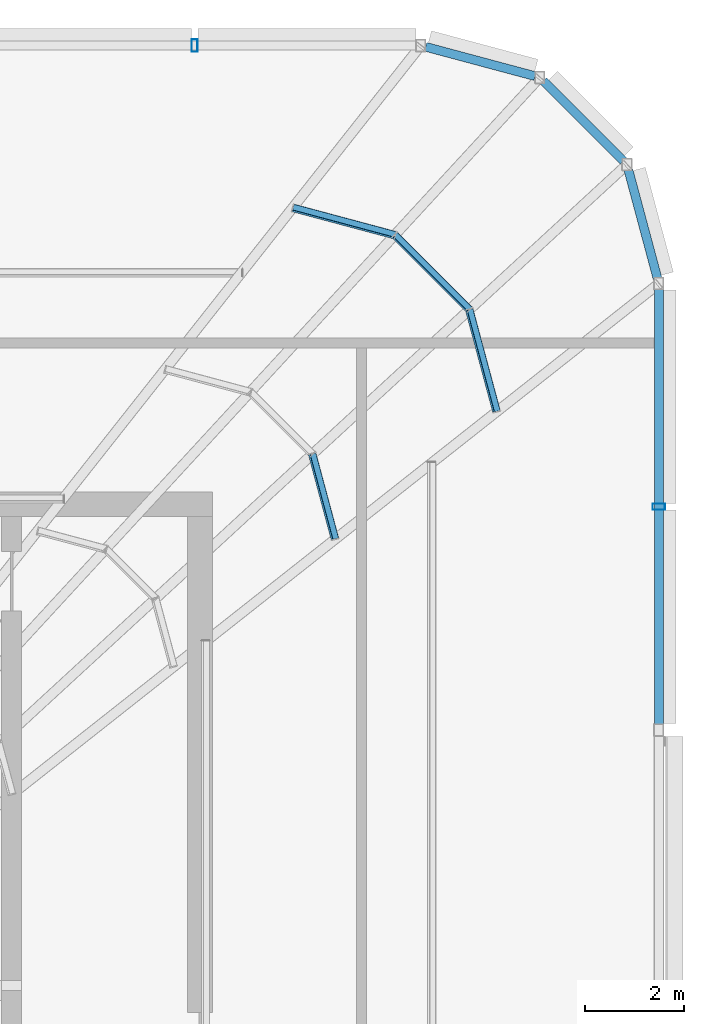
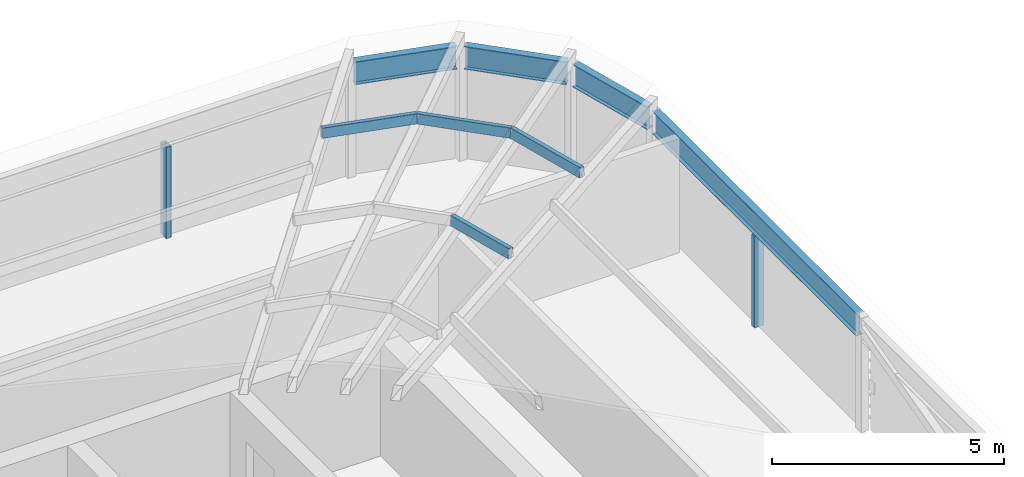
# One storey, part 20 of 46: 6 members, 4 beams.
"""IFC4 building model written with IfcOpenShell, lengths in metres."""

from ifc_helpers import new_model, si_unit, direction, frame, origin, origin_2d, place, context, subcontext, project, spatial, hollow_rectangle, i_section, extrude, material, material_profile, profile_set, type_object, element, save


model = new_model("IFC4")

# Units and contexts
model_context = context("Model", 3, precision=1e-05, world=origin(), true_north=direction((0.0, 1.0)))
body_context = subcontext(model_context, "Body", "Model", "MODEL_VIEW")
ifc_project = project(units=[si_unit("LENGTHUNIT", "METRE"), si_unit("AREAUNIT", "SQUARE_METRE"), si_unit("VOLUMEUNIT", "CUBIC_METRE"), si_unit("PLANEANGLEUNIT", "RADIAN"), si_unit("MASSUNIT", "GRAM", prefix="KILO")], contexts=[model_context])

# Site, building, storey
site_placement = place(None, origin())
site = spatial("IfcSite", under=ifc_project, at=site_placement, CompositionType="ELEMENT")
building_placement = place(site_placement, origin())
building = spatial("IfcBuilding", under=site, at=building_placement, Name="Madar Terraces", CompositionType="ELEMENT")
storey_placement = place(building_placement, frame((0.0, 0.0, 317.300048828125)))
storey = spatial("IfcBuildingStorey", under=building, at=storey_placement, Name="L82", CompositionType="ELEMENT", Elevation=317.300048828125)

# Beams
ifc_material_1 = material(Name="Steel ASTM A992 Grade 50", Category="steel")
ifc_material_profile_1 = material_profile(ifc_material_1, i_section(OverallWidth=0.1787109375, OverallDepth=0.60205078125, WebThickness=0.010986328125, FlangeThickness=0.014892578125, at=origin_2d()), Name="W24x62")
ifc_profile_set_1 = profile_set([ifc_material_profile_1], Name="Steel ASTM A992 Grade 50")
beam_type = type_object("IfcBeamType", Name="CF2 W24x62", PredefinedType="BEAM", material=ifc_profile_set_1)
beam_1_placement = place(storey_placement, frame((56.39990234375, 33.1015625, 2.698974609375), z_axis=(0.0, 1.0, 0.0), x_axis=(-1.0, 0.0, 0.0)))
element("IfcBeam", 1, at=beam_1_placement, inside=storey, type_object=beam_type, Name="Crown frame ring beam CF2", PredefinedType="BEAM", context=body_context, shape_type="SweptSolid", body=[
    extrude(i_section(OverallWidth=0.1787109375, OverallDepth=0.60205078125, WebThickness=0.010986328125, FlangeThickness=0.014892578125, at=origin_2d()), origin(), (0.0, 0.0, 1.0), 8.796875),
])
beam_2_placement = place(storey_placement, frame((56.373779296875, 42.09814453125, 2.698974609375), z_axis=(-0.258868028067, 0.965912700012, 0.0), x_axis=(-0.965912700012, -0.258868028067, 0.0)))
element("IfcBeam", 2, at=beam_2_placement, inside=storey, type_object=beam_type, Name="Crown frame ring beam CF2", PredefinedType="BEAM", context=body_context, shape_type="SweptSolid", body=[
    extrude(i_section(OverallWidth=0.1787109375, OverallDepth=0.60205078125, WebThickness=0.010986328125, FlangeThickness=0.014892578125, at=origin_2d()), origin(), (0.0, 0.0, 1.0), 2.281494140625),
])
beam_3_placement = place(storey_placement, frame((55.68505859375, 44.471923828125, 2.698974609375), z_axis=(-0.707160287053, 0.707053271271, 0.0), x_axis=(-0.707053271271, -0.707160287053, 0.0)))
element("IfcBeam", 3, at=beam_3_placement, inside=storey, type_object=beam_type, Name="Crown frame ring beam CF2", PredefinedType="BEAM", context=body_context, shape_type="SweptSolid", body=[
    extrude(i_section(OverallWidth=0.1787109375, OverallDepth=0.60205078125, WebThickness=0.010986328125, FlangeThickness=0.014892578125, at=origin_2d()), origin(), (0.0, 0.0, 1.0), 2.28125),
])
beam_4_placement = place(storey_placement, frame((53.90185546875, 46.18310546875, 2.698974609375), z_axis=(-0.965912700012, 0.258868028067, 0.0), x_axis=(-0.258868028067, -0.965912700012, 0.0)))
element("IfcBeam", 4, at=beam_4_placement, inside=storey, type_object=beam_type, Name="Crown frame ring beam CF2", PredefinedType="BEAM", context=body_context, shape_type="SweptSolid", body=[
    extrude(i_section(OverallWidth=0.1787109375, OverallDepth=0.60205078125, WebThickness=0.010986328125, FlangeThickness=0.014892578125, at=origin_2d()), origin(), (0.0, 0.0, 1.0), 2.281494140625),
])

# Members
ifc_material_2 = material(Name="Steel ASTM A500 Grade C", Category="steel")
ifc_material_profile_2 = material_profile(ifc_material_2, hollow_rectangle(XDim=0.126953125, YDim=0.25390625, WallThickness=0.00634765625, InnerFilletRadius=0.0029296875, OuterFilletRadius=0.0087890625, at=origin_2d()), Name="HSS10x5x.25")
ifc_profile_set_2 = profile_set([ifc_material_profile_2], Name="Steel ASTM A500 Grade C")
member_type_1 = type_object("IfcMemberType", Name="CF4 HSS10x5x.25", PredefinedType="PURLIN", material=ifc_profile_set_2)
member_1_placement = place(storey_placement, frame((53.12646484375, 39.424072265625, 3.999755859375), z_axis=(-0.258846864828, 0.965918371587, 0.0), x_axis=(-0.9571958065, -0.256509391298, 0.13408624163)))
element("IfcMember", 5, at=member_1_placement, inside=storey, type_object=member_type_1, Name="Crown frame purlin 25", PredefinedType="PURLIN", context=body_context, shape_type="SweptSolid", body=[
    extrude(hollow_rectangle(XDim=0.126953125, YDim=0.25390625, WallThickness=0.00634765625, InnerFilletRadius=0.0029296875, OuterFilletRadius=0.0087890625, at=origin_2d()), origin(), (0.0, 0.0, 1.0), 2.129638671875),
])
member_2_placement = place(storey_placement, frame((49.869384765625, 36.852783203125, 4.5712890625), z_axis=(-0.258878180119, 0.965909979169, 0.0), x_axis=(-0.957187489869, -0.256540423801, 0.13408624163)))
element("IfcMember", 6, at=member_2_placement, inside=storey, type_object=member_type_1, Name="Crown frame purlin 26", PredefinedType="PURLIN", context=body_context, shape_type="SweptSolid", body=[
    extrude(hollow_rectangle(XDim=0.126953125, YDim=0.25390625, WallThickness=0.00634765625, InnerFilletRadius=0.0029296875, OuterFilletRadius=0.0087890625, at=origin_2d()), origin(), (0.0, 0.0, 1.0), 1.77490234375),
])
for number, where, z_axis, x_axis, name in (
    (7, (52.579833984375, 41.473876953125, 3.999755859375), (-0.707106781187, 0.707106781187, 0.0), (-0.700941463334, -0.700941463334, 0.131765435371), "Crown frame purlin 29"),
    (8, (51.081298828125, 42.97509765625, 3.999755859375), (-0.965918371587, 0.258846864828, 0.0), (-0.256509391298, -0.9571958065, 0.13408624163), "Crown frame purlin 33"),
):
    element("IfcMember", number, at=place(storey_placement, frame(where, z_axis=z_axis, x_axis=x_axis)), inside=storey, type_object=member_type_1, Name=name, PredefinedType="PURLIN", context=body_context, shape_type="SweptSolid", body=[
        extrude(hollow_rectangle(XDim=0.126953125, YDim=0.25390625, WallThickness=0.00634765625, InnerFilletRadius=0.0029296875, OuterFilletRadius=0.0087890625, at=origin_2d()), origin(), (0.0, 0.0, 1.0), 2.129638671875),
    ])
ifc_material_3 = material(Name="Steel ASTM A500 Grade C", Category="steel")
ifc_material_profile_3 = material_profile(ifc_material_3, hollow_rectangle(XDim=0.126953125, YDim=0.25390625, WallThickness=0.00634765625, InnerFilletRadius=0.0029296875, OuterFilletRadius=0.0087890625, at=origin_2d()), Name="HSS10x5x.25")
ifc_profile_set_3 = profile_set([ifc_material_profile_3], Name="Steel ASTM A500 Grade C")
member_type_2 = type_object("IfcMemberType", Name="LS2 HSS10x5x.25", PredefinedType="POST", material=ifc_profile_set_3)
for number, where, z_axis, x_axis, name in (
    (9, (56.39990234375, 37.5, 0.0), (0.0, 0.0, 1.0), (0.0, 1.0, 0.0), "Crown louvre post LS2"),
    (10, (47.0400390625, 46.800048828125, 0.0), (0.0, 0.0, 1.0), (-1.0, 0.0, 0.0), "Crown louvre post LS2"),
):
    element("IfcMember", number, at=place(storey_placement, frame(where, z_axis=z_axis, x_axis=x_axis)), inside=storey, type_object=member_type_2, Name=name, PredefinedType="POST", context=body_context, shape_type="SweptSolid", body=[
        extrude(hollow_rectangle(XDim=0.126953125, YDim=0.25390625, WallThickness=0.00634765625, InnerFilletRadius=0.0029296875, OuterFilletRadius=0.0087890625, at=origin_2d()), origin(), (0.0, 0.0, 1.0), 2.39794921875),
    ])

save(model, "model.ifc")
